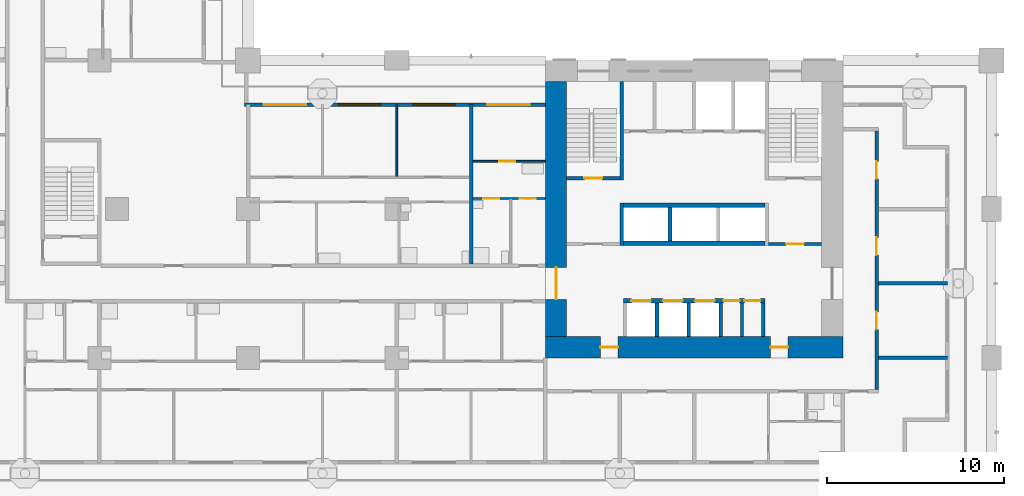
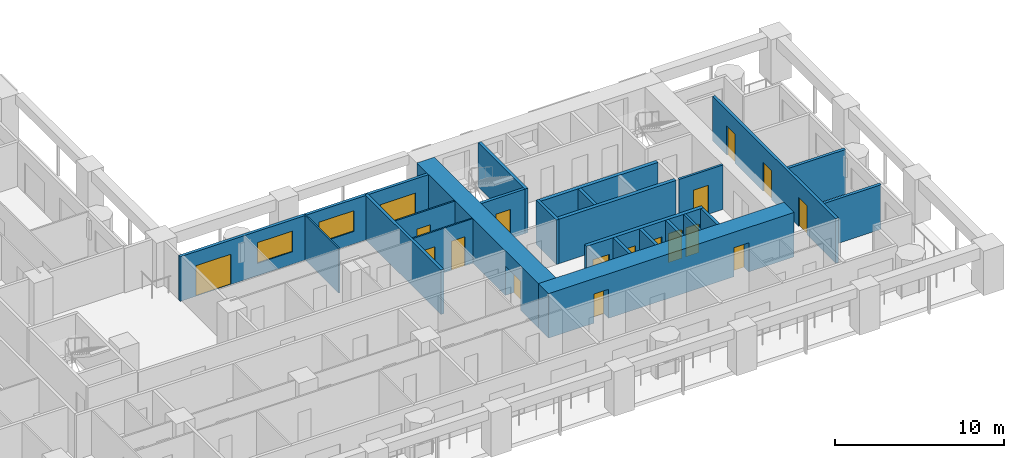
# One storey, part 6 of 20: 23 walls, 18 doors, 2 windows, 20 openings.
"""IFC4 building model written with IfcOpenShell, lengths in metres."""

from ifc_helpers import new_model, si_unit, direction, frame, frame_2d, origin, place, context, subcontext, project, spatial, rectangle, extrude, material, layer, layer_set, type_object, element, fill, save


model = new_model("IFC4")

# Units and contexts
model_context = context("Model", 3, precision=1e-05, world=origin(), true_north=direction((0.0, 1.0)))
body_context = subcontext(model_context, "Body", "Model", "MODEL_VIEW")
ifc_project = project(units=[si_unit("LENGTHUNIT", "METRE"), si_unit("AREAUNIT", "SQUARE_METRE"), si_unit("VOLUMEUNIT", "CUBIC_METRE"), si_unit("PLANEANGLEUNIT", "RADIAN"), si_unit("MASSUNIT", "GRAM", prefix="KILO")], contexts=[model_context])

# Site, building, storey
site_placement = place(None, origin())
site = spatial("IfcSite", under=ifc_project, at=site_placement, CompositionType="ELEMENT")
building_placement = place(site_placement, origin())
building = spatial("IfcBuilding", under=site, at=building_placement, Name="Vermilion Gate Residences", CompositionType="ELEMENT")
storey_placement = place(building_placement, frame((0.0, 0.0, 39.199951171875)))
storey = spatial("IfcBuildingStorey", under=building, at=storey_placement, Name="L08", CompositionType="ELEMENT", Elevation=39.199951171875)

# Wall
ifc_material_1 = material(Name="Masonry blockwork", Category="masonry")
ifc_layer_1 = layer(ifc_material_1, 0.14990234375)
ifc_layer_set_1 = layer_set([ifc_layer_1], Name="BLOCKWORK PARTITION 150 EI 120")
wall_type_1 = type_object("IfcWallType", Name="BLOCKWORK PARTITION 150 EI 120", PredefinedType="PARTITIONING", material=ifc_layer_set_1)
wall_1_placement = place(storey_placement, frame((53.10009765625, 9.60009765625, 0.0), z_axis=(0.0, 0.0, 1.0), x_axis=(0.0, 1.0, 0.0)))
element("IfcWall", 1, at=wall_1_placement, inside=storey, type_object=wall_type_1, Name="Core room partition A08-SR-P0", PredefinedType="PARTITIONING", context=body_context, shape_type="SweptSolid", body=[
    extrude(rectangle(XDim=1.89990234375, YDim=0.14990234375, at=frame_2d((0.949951171875, 0.0))), origin(), (0.0, 0.0, 1.0), 3.219970703125),
])

# Wall, opening, door
wall_2_placement = place(storey_placement, frame((54.60009765625, 14.824951171875, 0.0), z_axis=(0.0, 0.0, 1.0), x_axis=(1.0, 0.0, 0.0)))
wall_2 = element("IfcWall", 2, at=wall_2_placement, inside=storey, type_object=wall_type_1, Name="Core room partition A08-VE-S", PredefinedType="PARTITIONING", context=body_context, shape_type="SweptSolid", body=[
    extrude(rectangle(XDim=3.0, YDim=0.14990234375, at=frame_2d((1.5, 0.0))), origin(), (0.0, 0.0, 1.0), 3.219970703125),
])
opening_1_placement = place(wall_2_placement, frame((1.0, 0.0, 0.0)))
opening_1 = element("IfcOpeningElement", 3, at=opening_1_placement, cuts=wall_2, Name="Opening DK08016", PredefinedType="OPENING", context=body_context, shape_type="SweptSolid", body=[
    extrude(rectangle(XDim=1.0, YDim=2.10009765625, at=frame_2d((0.5, 1.050048828125))), frame((0.0, 0.0849609375, 0.0), z_axis=(0.0, -1.0, 0.0), x_axis=(1.0, 0.0, 0.0)), (0.0, 0.0, 1.0), 0.169921875),
])
ifc_material_2 = material(Name="Steel", Category="steel")
door_type_1 = type_object("IfcDoorType", Name="FIRE DOOR FD60 1000 X 2100", OperationType="SINGLE_SWING_LEFT", PredefinedType="DOOR", material=ifc_material_2)
door_1_placement = place(opening_1_placement, frame((1.0, 0.0, 0.0), z_axis=(0.0, 0.0, 1.0), x_axis=(-1.0, 0.0, 0.0)))
door_1 = element("IfcDoor", 4, at=door_1_placement, inside=storey, type_object=door_type_1, Name="Stair vestibule door A08", OperationType="SINGLE_SWING_LEFT", OverallHeight=2.10009765625, OverallWidth=1.0, PredefinedType="DOOR", context=body_context, shape_type="SweptSolid", body=[
    extrude(rectangle(XDim=1.0, YDim=2.10009765625, at=frame_2d((0.5, 1.050048828125))), frame((0.0, 0.02490234375, 0.0), z_axis=(0.0, -1.0, 0.0), x_axis=(1.0, 0.0, 0.0)), (0.0, 0.0, 1.0), 0.050048828125),
])
fill(opening_1, door_1)

# Wall, openings, doors, windows
ifc_material_3 = material(Name="Insulated steel stud wall with terracotta rainscreen", Category="masonry")
ifc_layer_2 = layer(ifc_material_3, 0.199951171875)
ifc_layer_set_2 = layer_set([ifc_layer_2], Name="EXTERNAL WALL 200 TERRACOTTA RAINSCREEN")
wall_type_2 = type_object("IfcWallType", Name="EXTERNAL WALL 200 TERRACOTTA RAINSCREEN", PredefinedType="SOLIDWALL", material=ifc_layer_set_2)
wall_3_placement = place(storey_placement, frame((42.0, 22.699951171875, 0.0), z_axis=(0.0, 0.0, 1.0), x_axis=(-1.0, 0.0, 0.0)))
wall_3 = element("IfcWall", 5, at=wall_3_placement, inside=storey, type_object=wall_type_2, Name="External wall", PredefinedType="SOLIDWALL", context=body_context, shape_type="SweptSolid", body=[
    extrude(rectangle(XDim=17.0, YDim=0.199951171875, at=frame_2d((8.5, 0.0))), origin(), (0.0, 0.0, 1.0), 3.219970703125),
])
opening_2_placement = place(wall_3_placement, frame((13.5, 0.0, 0.0)))
opening_2 = element("IfcOpeningElement", 6, at=opening_2_placement, cuts=wall_3, Name="Opening DE08033", PredefinedType="OPENING", context=body_context, shape_type="SweptSolid", body=[
    extrude(rectangle(XDim=2.39990234375, YDim=2.199951171875, at=frame_2d((1.199951171875, 1.10009765625))), frame((0.0, 0.10986328125, 0.0), z_axis=(0.0, -1.0, 0.0), x_axis=(1.0, 0.0, 0.0)), (0.0, 0.0, 1.0), 0.219970703125),
])
opening_3_placement = place(wall_3_placement, frame((9.300048828125, 0.0, 0.89990234375)))
opening_3 = element("IfcOpeningElement", 7, at=opening_3_placement, cuts=wall_3, Name="Opening WE08034", PredefinedType="OPENING", context=body_context, shape_type="SweptSolid", body=[
    extrude(rectangle(XDim=2.39990234375, YDim=1.5, at=frame_2d((1.199951171875, 0.75))), frame((0.0, 0.10986328125, 0.0), z_axis=(0.0, -1.0, 0.0), x_axis=(1.0, 0.0, 0.0)), (0.0, 0.0, 1.0), 0.219970703125),
])
opening_4_placement = place(wall_3_placement, frame((5.10009765625, 0.0, 0.89990234375)))
opening_4 = element("IfcOpeningElement", 8, at=opening_4_placement, cuts=wall_3, Name="Opening WE08035", PredefinedType="OPENING", context=body_context, shape_type="SweptSolid", body=[
    extrude(rectangle(XDim=2.39990234375, YDim=1.5, at=frame_2d((1.199951171875, 0.75))), frame((0.0, 0.10986328125, 0.0), z_axis=(0.0, -1.0, 0.0), x_axis=(1.0, 0.0, 0.0)), (0.0, 0.0, 1.0), 0.219970703125),
])
opening_5_placement = place(wall_3_placement, frame((0.89990234375, 0.0, 0.0)))
opening_5 = element("IfcOpeningElement", 9, at=opening_5_placement, cuts=wall_3, Name="Opening DE08036", PredefinedType="OPENING", context=body_context, shape_type="SweptSolid", body=[
    extrude(rectangle(XDim=2.39990234375, YDim=2.199951171875, at=frame_2d((1.199951171875, 1.10009765625))), frame((0.0, 0.10986328125, 0.0), z_axis=(0.0, -1.0, 0.0), x_axis=(1.0, 0.0, 0.0)), (0.0, 0.0, 1.0), 0.219970703125),
])
ifc_material_4 = material(Name="Aluminium and clear glass", Category="aluminium")
door_type_2 = type_object("IfcDoorType", Name="SLIDING GLAZED DOOR 2400 X 2200", OperationType="DOUBLE_DOOR_SLIDING", PredefinedType="DOOR", material=ifc_material_4)
door_2_placement = place(opening_2_placement, origin())
door_2 = element("IfcDoor", 10, at=door_2_placement, inside=storey, type_object=door_type_2, Name="Loggia sliding door", OperationType="DOUBLE_DOOR_SLIDING", OverallHeight=2.199951171875, OverallWidth=2.39990234375, PredefinedType="DOOR", context=body_context, shape_type="SweptSolid", body=[
    extrude(rectangle(XDim=2.39990234375, YDim=2.199951171875, at=frame_2d((1.199951171875, 1.10009765625))), frame((0.0, 0.02490234375, 0.0), z_axis=(0.0, -1.0, 0.0), x_axis=(1.0, 0.0, 0.0)), (0.0, 0.0, 1.0), 0.050048828125),
])
fill(opening_2, door_2)
door_3_placement = place(opening_5_placement, origin())
door_3 = element("IfcDoor", 11, at=door_3_placement, inside=storey, type_object=door_type_2, Name="Loggia sliding door", OperationType="DOUBLE_DOOR_SLIDING", OverallHeight=2.199951171875, OverallWidth=2.39990234375, PredefinedType="DOOR", context=body_context, shape_type="SweptSolid", body=[
    extrude(rectangle(XDim=2.39990234375, YDim=2.199951171875, at=frame_2d((1.199951171875, 1.10009765625))), frame((0.0, 0.02490234375, 0.0), z_axis=(0.0, -1.0, 0.0), x_axis=(1.0, 0.0, 0.0)), (0.0, 0.0, 1.0), 0.050048828125),
])
fill(opening_5, door_3)
ifc_material_5 = material(Name="Aluminium and clear glass", Category="aluminium")
window_type = type_object("IfcWindowType", Name="WINDOW 2400 X 1500", PartitioningType="SINGLE_PANEL", PredefinedType="WINDOW", material=ifc_material_5)
window_1_placement = place(opening_3_placement, origin())
window_1 = element("IfcWindow", 12, at=window_1_placement, inside=storey, type_object=window_type, Name="Window", OverallHeight=1.5, OverallWidth=2.39990234375, PartitioningType="SINGLE_PANEL", PredefinedType="WINDOW", context=body_context, shape_type="SweptSolid", body=[
    extrude(rectangle(XDim=2.39990234375, YDim=1.5, at=frame_2d((1.199951171875, 0.75))), frame((0.0, 0.030029296875, 0.0), z_axis=(0.0, -1.0, 0.0), x_axis=(1.0, 0.0, 0.0)), (0.0, 0.0, 1.0), 0.06005859375),
])
fill(opening_3, window_1)
window_2_placement = place(opening_4_placement, origin())
window_2 = element("IfcWindow", 13, at=window_2_placement, inside=storey, type_object=window_type, Name="Window", OverallHeight=1.5, OverallWidth=2.39990234375, PartitioningType="SINGLE_PANEL", PredefinedType="WINDOW", context=body_context, shape_type="SweptSolid", body=[
    extrude(rectangle(XDim=2.39990234375, YDim=1.5, at=frame_2d((1.199951171875, 0.75))), frame((0.0, 0.030029296875, 0.0), z_axis=(0.0, -1.0, 0.0), x_axis=(1.0, 0.0, 0.0)), (0.0, 0.0, 1.0), 0.06005859375),
])
fill(opening_4, window_2)

# Wall, openings, doors
ifc_material_6 = material(Name="Plasterboard on steel studs", Category="steel")
ifc_layer_3 = layer(ifc_material_6, 0.10009765625)
ifc_layer_set_3 = layer_set([ifc_layer_3], Name="PARTITION 100")
wall_type_3 = type_object("IfcWallType", Name="PARTITION 100", PredefinedType="PARTITIONING", material=ifc_layer_set_3)
wall_4_placement = place(storey_placement, frame((37.89990234375, 17.39990234375, 0.0), z_axis=(0.0, 0.0, 1.0), x_axis=(1.0, 0.0, 0.0)))
wall_4 = element("IfcWall", 14, at=wall_4_placement, inside=storey, type_object=wall_type_3, Name="Partition", PredefinedType="PARTITIONING", context=body_context, shape_type="SweptSolid", body=[
    extrude(rectangle(XDim=4.10009765625, YDim=0.10009765625, at=frame_2d((2.050048828125, 0.0))), origin(), (0.0, 0.0, 1.0), 3.219970703125),
])
opening_6_placement = place(wall_4_placement, frame((2.639892578125, 0.0, 0.0)))
opening_6 = element("IfcOpeningElement", 15, at=opening_6_placement, cuts=wall_4, Name="Opening DA07030", PredefinedType="OPENING", context=body_context, shape_type="SweptSolid", body=[
    extrude(rectangle(XDim=0.89990234375, YDim=2.10009765625, at=frame_2d((0.449951171875, 1.050048828125))), frame((0.0, 0.06005859375, 0.0), z_axis=(0.0, -1.0, 0.0), x_axis=(1.0, 0.0, 0.0)), (0.0, 0.0, 1.0), 0.1201171875),
])
opening_7_placement = place(wall_4_placement, frame((0.60009765625, 0.0, 0.0)))
opening_7 = element("IfcOpeningElement", 16, at=opening_7_placement, cuts=wall_4, Name="Opening DA07031", PredefinedType="OPENING", context=body_context, shape_type="SweptSolid", body=[
    extrude(rectangle(XDim=0.89990234375, YDim=2.10009765625, at=frame_2d((0.449951171875, 1.050048828125))), frame((0.0, 0.06005859375, 0.0), z_axis=(0.0, -1.0, 0.0), x_axis=(1.0, 0.0, 0.0)), (0.0, 0.0, 1.0), 0.1201171875),
])
ifc_material_7 = material(Name="Timber", Category="wood")
door_type_3 = type_object("IfcDoorType", Name="INTERIOR DOOR 900 X 2100", OperationType="SINGLE_SWING_LEFT", PredefinedType="DOOR", material=ifc_material_7)
door_4_placement = place(opening_6_placement, origin())
door_4 = element("IfcDoor", 17, at=door_4_placement, inside=storey, type_object=door_type_3, Name="Interior door", OperationType="SINGLE_SWING_RIGHT", OverallHeight=2.10009765625, OverallWidth=0.89990234375, PredefinedType="DOOR", context=body_context, shape_type="SweptSolid", body=[
    extrude(rectangle(XDim=0.89990234375, YDim=2.10009765625, at=frame_2d((0.449951171875, 1.050048828125))), frame((0.0, 0.02490234375, 0.0), z_axis=(0.0, -1.0, 0.0), x_axis=(1.0, 0.0, 0.0)), (0.0, 0.0, 1.0), 0.050048828125),
])
fill(opening_6, door_4)
door_5_placement = place(opening_7_placement, frame((0.89990234375, 0.0, 0.0), z_axis=(0.0, 0.0, 1.0), x_axis=(-1.0, 0.0, 0.0)))
door_5 = element("IfcDoor", 18, at=door_5_placement, inside=storey, type_object=door_type_3, Name="Interior door", OperationType="SINGLE_SWING_RIGHT", OverallHeight=2.10009765625, OverallWidth=0.89990234375, PredefinedType="DOOR", context=body_context, shape_type="SweptSolid", body=[
    extrude(rectangle(XDim=0.89990234375, YDim=2.10009765625, at=frame_2d((0.449951171875, 1.050048828125))), frame((0.0, 0.02490234375, 0.0), z_axis=(0.0, -1.0, 0.0), x_axis=(1.0, 0.0, 0.0)), (0.0, 0.0, 1.0), 0.050048828125),
])
fill(opening_7, door_5)

# Wall, opening, door
wall_5_placement = place(storey_placement, frame((37.89990234375, 19.5, 0.0), z_axis=(0.0, 0.0, 1.0), x_axis=(1.0, 0.0, 0.0)))
wall_5 = element("IfcWall", 19, at=wall_5_placement, inside=storey, type_object=wall_type_3, Name="Partition", PredefinedType="PARTITIONING", context=body_context, shape_type="SweptSolid", body=[
    extrude(rectangle(XDim=4.10009765625, YDim=0.10009765625, at=frame_2d((2.050048828125, 0.0))), origin(), (0.0, 0.0, 1.0), 3.219970703125),
])
opening_8_placement = place(wall_5_placement, frame((1.5, 0.0, 0.0)))
opening_8 = element("IfcOpeningElement", 20, at=opening_8_placement, cuts=wall_5, Name="Opening DA07035", PredefinedType="OPENING", context=body_context, shape_type="SweptSolid", body=[
    extrude(rectangle(XDim=0.89990234375, YDim=2.10009765625, at=frame_2d((0.449951171875, 1.050048828125))), frame((0.0, 0.06005859375, 0.0), z_axis=(0.0, -1.0, 0.0), x_axis=(1.0, 0.0, 0.0)), (0.0, 0.0, 1.0), 0.1201171875),
])
door_6_placement = place(opening_8_placement, frame((0.89990234375, 0.0, 0.0), z_axis=(0.0, 0.0, 1.0), x_axis=(-1.0, 0.0, 0.0)))
door_6 = element("IfcDoor", 21, at=door_6_placement, inside=storey, type_object=door_type_3, Name="Interior door", OperationType="SINGLE_SWING_LEFT", OverallHeight=2.10009765625, OverallWidth=0.89990234375, PredefinedType="DOOR", context=body_context, shape_type="SweptSolid", body=[
    extrude(rectangle(XDim=0.89990234375, YDim=2.10009765625, at=frame_2d((0.449951171875, 1.050048828125))), frame((0.0, 0.02490234375, 0.0), z_axis=(0.0, -1.0, 0.0), x_axis=(1.0, 0.0, 0.0)), (0.0, 0.0, 1.0), 0.050048828125),
])
fill(opening_8, door_6)

# Walls
wall_6_placement = place(storey_placement, frame((33.60009765625, 18.64990234375, 0.0), z_axis=(0.0, 0.0, 1.0), x_axis=(0.0, 1.0, 0.0)))
element("IfcWall", 22, at=wall_6_placement, inside=storey, type_object=wall_type_3, Name="Partition", PredefinedType="PARTITIONING", context=body_context, shape_type="SweptSolid", body=[
    extrude(rectangle(XDim=4.050048828125, YDim=0.10009765625, at=frame_2d((2.02490234375, 0.0))), origin(), (0.0, 0.0, 1.0), 3.219970703125),
])
ifc_material_8 = material(Name="Fire-rated plasterboard on steel studs", Category="steel")
ifc_layer_4 = layer(ifc_material_8, 0.199951171875)
ifc_layer_set_4 = layer_set([ifc_layer_4], Name="PARTY WALL 200 EI 120")
wall_type_4 = type_object("IfcWallType", Name="PARTY WALL 200 EI 120", PredefinedType="PARTITIONING", material=ifc_layer_set_4)
for number, where, z_axis, x_axis, name in (
    (23, (60.800048828125, 8.39990234375, 0.0), (0.0, 0.0, 1.0), (1.0, 0.0, 0.0), "Party and corridor wall"),
    (24, (60.800048828125, 12.60009765625, 0.0), (0.0, 0.0, 1.0), (1.0, 0.0, 0.0), "Party and corridor wall"),
):
    element("IfcWall", number, at=place(storey_placement, frame(where, z_axis=z_axis, x_axis=x_axis)), inside=storey, type_object=wall_type_4, Name=name, PredefinedType="PARTITIONING", context=body_context, shape_type="SweptSolid", body=[
        extrude(rectangle(XDim=3.89990234375, YDim=0.199951171875, at=frame_2d((1.949951171875, 0.0))), origin(), (0.0, 0.0, 1.0), 3.219970703125),
    ])
wall_7_placement = place(storey_placement, frame((37.800048828125, 13.699951171875, 0.0), z_axis=(0.0, 0.0, 1.0), x_axis=(0.0, 1.0, 0.0)))
element("IfcWall", 25, at=wall_7_placement, inside=storey, type_object=wall_type_4, Name="Party and corridor wall", PredefinedType="PARTITIONING", context=body_context, shape_type="SweptSolid", body=[
    extrude(rectangle(XDim=9.0, YDim=0.199951171875, at=frame_2d((4.5, 0.0))), origin(), (0.0, 0.0, 1.0), 3.219970703125),
])

# Wall, openings, doors
wall_8_placement = place(storey_placement, frame((60.699951171875, 6.60009765625, 0.0), z_axis=(0.0, 0.0, 1.0), x_axis=(0.0, 1.0, 0.0)))
wall_8 = element("IfcWall", 26, at=wall_8_placement, inside=storey, type_object=wall_type_4, Name="Party and corridor wall", PredefinedType="PARTITIONING", context=body_context, shape_type="SweptSolid", body=[
    extrude(rectangle(XDim=14.599853515625, YDim=0.199951171875, at=frame_2d((7.2998046875, 0.0))), origin(), (0.0, 0.0, 1.0), 3.219970703125),
])
opening_9_placement = place(wall_8_placement, frame((3.39990234375, 0.0, 0.0)))
opening_9 = element("IfcOpeningElement", 27, at=opening_9_placement, cuts=wall_8, Name="Opening DA07066", PredefinedType="OPENING", context=body_context, shape_type="SweptSolid", body=[
    extrude(rectangle(XDim=1.0, YDim=2.10009765625, at=frame_2d((0.5, 1.050048828125))), frame((0.0, 0.10986328125, 0.0), z_axis=(0.0, -1.0, 0.0), x_axis=(1.0, 0.0, 0.0)), (0.0, 0.0, 1.0), 0.219970703125),
])
opening_10_placement = place(wall_8_placement, frame((7.60009765625, 0.0, 0.0)))
opening_10 = element("IfcOpeningElement", 28, at=opening_10_placement, cuts=wall_8, Name="Opening DA07067", PredefinedType="OPENING", context=body_context, shape_type="SweptSolid", body=[
    extrude(rectangle(XDim=1.0, YDim=2.10009765625, at=frame_2d((0.5, 1.050048828125))), frame((0.0, 0.10986328125, 0.0), z_axis=(0.0, -1.0, 0.0), x_axis=(1.0, 0.0, 0.0)), (0.0, 0.0, 1.0), 0.219970703125),
])
opening_11_placement = place(wall_8_placement, frame((11.89990234375, 0.0, 0.0)))
opening_11 = element("IfcOpeningElement", 29, at=opening_11_placement, cuts=wall_8, Name="Opening DA07068", PredefinedType="OPENING", context=body_context, shape_type="SweptSolid", body=[
    extrude(rectangle(XDim=1.0, YDim=2.10009765625, at=frame_2d((0.5, 1.050048828125))), frame((0.0, 0.10986328125, 0.0), z_axis=(0.0, -1.0, 0.0), x_axis=(1.0, 0.0, 0.0)), (0.0, 0.0, 1.0), 0.219970703125),
])
ifc_material_9 = material(Name="Steel", Category="steel")
door_type_4 = type_object("IfcDoorType", Name="ENTRANCE DOOR 1000 X 2100 FD30", OperationType="SINGLE_SWING_LEFT", PredefinedType="DOOR", material=ifc_material_9)
door_7_placement = place(opening_9_placement, frame((1.0, 0.0, 0.0), z_axis=(0.0, 0.0, 1.0), x_axis=(-1.0, 0.0, 0.0)))
door_7 = element("IfcDoor", 30, at=door_7_placement, inside=storey, type_object=door_type_4, Name="Entrance door", OperationType="SINGLE_SWING_RIGHT", OverallHeight=2.10009765625, OverallWidth=1.0, PredefinedType="DOOR", context=body_context, shape_type="SweptSolid", body=[
    extrude(rectangle(XDim=1.0, YDim=2.10009765625, at=frame_2d((0.5, 1.050048828125))), frame((0.0, 0.02490234375, 0.0), z_axis=(0.0, -1.0, 0.0), x_axis=(1.0, 0.0, 0.0)), (0.0, 0.0, 1.0), 0.050048828125),
])
fill(opening_9, door_7)
door_8_placement = place(opening_10_placement, frame((1.0, 0.0, 0.0), z_axis=(0.0, 0.0, 1.0), x_axis=(-1.0, 0.0, 0.0)))
door_8 = element("IfcDoor", 31, at=door_8_placement, inside=storey, type_object=door_type_4, Name="Entrance door", OperationType="SINGLE_SWING_RIGHT", OverallHeight=2.10009765625, OverallWidth=1.0, PredefinedType="DOOR", context=body_context, shape_type="SweptSolid", body=[
    extrude(rectangle(XDim=1.0, YDim=2.10009765625, at=frame_2d((0.5, 1.050048828125))), frame((0.0, 0.02490234375, 0.0), z_axis=(0.0, -1.0, 0.0), x_axis=(1.0, 0.0, 0.0)), (0.0, 0.0, 1.0), 0.050048828125),
])
fill(opening_10, door_8)
door_9_placement = place(opening_11_placement, frame((1.0, 0.0, 0.0), z_axis=(0.0, 0.0, 1.0), x_axis=(-1.0, 0.0, 0.0)))
door_9 = element("IfcDoor", 32, at=door_9_placement, inside=storey, type_object=door_type_4, Name="Entrance door", OperationType="SINGLE_SWING_RIGHT", OverallHeight=2.10009765625, OverallWidth=1.0, PredefinedType="DOOR", context=body_context, shape_type="SweptSolid", body=[
    extrude(rectangle(XDim=1.0, YDim=2.10009765625, at=frame_2d((0.5, 1.050048828125))), frame((0.0, 0.02490234375, 0.0), z_axis=(0.0, -1.0, 0.0), x_axis=(1.0, 0.0, 0.0)), (0.0, 0.0, 1.0), 0.050048828125),
])
fill(opening_11, door_9)

# Walls
ifc_material_10 = material(Name="Concrete C60", Category="concrete")
ifc_layer_5 = layer(ifc_material_10, 0.199951171875)
ifc_layer_set_5 = layer_set([ifc_layer_5], Name="RC CORE INTERNAL WALL 200 C60")
wall_type_5 = type_object("IfcWallType", Name="RC CORE INTERNAL WALL 200 C60", PredefinedType="SHEAR", material=ifc_layer_set_5)
for number, where, z_axis, x_axis, name in (
    (33, (48.300048828125, 9.60009765625, 0.0), (0.0, 0.0, 1.0), (0.0, 1.0, 0.0), "Core internal wall A08-LR-D1"),
    (34, (50.10009765625, 9.60009765625, 0.0), (0.0, 0.0, 1.0), (0.0, 1.0, 0.0), "Core internal wall A08-LR-D2"),
    (35, (51.89990234375, 9.60009765625, 0.0), (0.0, 0.0, 1.0), (0.0, 1.0, 0.0), "Core internal wall A08-LR-D3"),
    (36, (54.300048828125, 9.60009765625, 0.0), (0.0, 0.0, 1.0), (0.0, 1.0, 0.0), "Core internal wall A08-LR-DE"),
    (37, (49.033447265625, 15.0, 0.0), (0.0, 0.0, 1.0), (0.0, 1.0, 0.0), "Core internal wall A08-HR-D1"),
):
    element("IfcWall", number, at=place(storey_placement, frame(where, z_axis=z_axis, x_axis=x_axis)), inside=storey, type_object=wall_type_5, Name=name, PredefinedType="SHEAR", context=body_context, shape_type="SweptSolid", body=[
        extrude(rectangle(XDim=1.89990234375, YDim=0.199951171875, at=frame_2d((0.949951171875, 0.0))), origin(), (0.0, 0.0, 1.0), 3.219970703125),
    ])
wall_9_placement = place(storey_placement, frame((46.300048828125, 14.75, 0.0), z_axis=(0.0, 0.0, 1.0), x_axis=(0.0, 1.0, 0.0)))
element("IfcWall", 38, at=wall_9_placement, inside=storey, type_object=wall_type_5, Name="Core internal wall A08-WDIV1", PredefinedType="SHEAR", context=body_context, shape_type="SweptSolid", body=[
    extrude(rectangle(XDim=2.39990234375, YDim=0.199951171875, at=frame_2d((1.199951171875, 0.0))), origin(), (0.0, 0.0, 1.0), 3.219970703125),
])
wall_10_placement = place(storey_placement, frame((46.300048828125, 18.449951171875, 0.0), z_axis=(0.0, 0.0, 1.0), x_axis=(0.0, 1.0, 0.0)))
element("IfcWall", 39, at=wall_10_placement, inside=storey, type_object=wall_type_5, Name="Core internal wall A08-WDIV2", PredefinedType="SHEAR", context=body_context, shape_type="SweptSolid", body=[
    extrude(rectangle(XDim=5.550048828125, YDim=0.199951171875, at=frame_2d((2.77490234375, 0.0))), origin(), (0.0, 0.0, 1.0), 3.219970703125),
])

# Wall, opening, door
wall_11_placement = place(storey_placement, frame((43.199951171875, 18.550048828125, 0.0), z_axis=(0.0, 0.0, 1.0), x_axis=(1.0, 0.0, 0.0)))
wall_11 = element("IfcWall", 40, at=wall_11_placement, inside=storey, type_object=wall_type_5, Name="Core internal wall A08-STW-S", PredefinedType="SHEAR", context=body_context, shape_type="SweptSolid", body=[
    extrude(rectangle(XDim=3.0, YDim=0.199951171875, at=frame_2d((1.5, 0.0))), origin(), (0.0, 0.0, 1.0), 3.219970703125),
])
opening_12_placement = place(wall_11_placement, frame((1.0, 0.0, 0.0)))
opening_12 = element("IfcOpeningElement", 41, at=opening_12_placement, cuts=wall_11, Name="Opening DK08015", PredefinedType="OPENING", context=body_context, shape_type="SweptSolid", body=[
    extrude(rectangle(XDim=1.0, YDim=2.10009765625, at=frame_2d((0.5, 1.050048828125))), frame((0.0, 0.10986328125, 0.0), z_axis=(0.0, -1.0, 0.0), x_axis=(1.0, 0.0, 0.0)), (0.0, 0.0, 1.0), 0.219970703125),
])
door_10_placement = place(opening_12_placement, origin())
door_10 = element("IfcDoor", 42, at=door_10_placement, inside=storey, type_object=door_type_1, Name="Stair door A08", OperationType="SINGLE_SWING_LEFT", OverallHeight=2.10009765625, OverallWidth=1.0, PredefinedType="DOOR", context=body_context, shape_type="SweptSolid", body=[
    extrude(rectangle(XDim=1.0, YDim=2.10009765625, at=frame_2d((0.5, 1.050048828125))), frame((0.0, 0.02490234375, 0.0), z_axis=(0.0, -1.0, 0.0), x_axis=(1.0, 0.0, 0.0)), (0.0, 0.0, 1.0), 0.050048828125),
])
fill(opening_12, door_10)

# Wall, openings, doors
ifc_material_11 = material(Name="Concrete C80", Category="concrete")
ifc_layer_6 = layer(ifc_material_11, 1.199951171875)
ifc_layer_set_6 = layer_set([ifc_layer_6], Name="RC CORE WALL 1200 C80")
wall_type_6 = type_object("IfcWallType", Name="RC CORE WALL 1200 C80", PredefinedType="SHEAR", material=ifc_layer_set_6)
wall_12_placement = place(storey_placement, frame((42.0, 9.0, 0.0), z_axis=(0.0, 0.0, 1.0), x_axis=(1.0, 0.0, 0.0)))
wall_12 = element("IfcWall", 43, at=wall_12_placement, inside=storey, type_object=wall_type_6, Name="Core wall A08-OUT-B0", PredefinedType="SHEAR", context=body_context, shape_type="SweptSolid", body=[
    extrude(rectangle(XDim=16.800048828125, YDim=1.199951171875, at=frame_2d((8.39990234375, 0.0))), origin(), (0.0, 0.0, 1.0), 3.219970703125),
])
opening_13_placement = place(wall_12_placement, frame((3.10009765625, 0.0, 0.0)))
opening_13 = element("IfcOpeningElement", 44, at=opening_13_placement, cuts=wall_12, Name="Opening DK08001", PredefinedType="OPENING", context=body_context, shape_type="SweptSolid", body=[
    extrude(rectangle(XDim=1.0, YDim=2.10009765625, at=frame_2d((0.5, 1.050048828125))), frame((0.0, 0.60986328125, 0.0), z_axis=(0.0, -1.0, 0.0), x_axis=(1.0, 0.0, 0.0)), (0.0, 0.0, 1.0), 1.219970703125),
])
opening_14_placement = place(wall_12_placement, frame((12.699951171875, 0.0, 0.0)))
opening_14 = element("IfcOpeningElement", 45, at=opening_14_placement, cuts=wall_12, Name="Opening DK08002", PredefinedType="OPENING", context=body_context, shape_type="SweptSolid", body=[
    extrude(rectangle(XDim=1.0, YDim=2.10009765625, at=frame_2d((0.5, 1.050048828125))), frame((0.0, 0.60986328125, 0.0), z_axis=(0.0, -1.0, 0.0), x_axis=(1.0, 0.0, 0.0)), (0.0, 0.0, 1.0), 1.219970703125),
])
door_11_placement = place(opening_13_placement, origin())
door_11 = element("IfcDoor", 46, at=door_11_placement, inside=storey, type_object=door_type_1, Name="Core lobby side door A08", OperationType="SINGLE_SWING_RIGHT", OverallHeight=2.10009765625, OverallWidth=1.0, PredefinedType="DOOR", context=body_context, shape_type="SweptSolid", body=[
    extrude(rectangle(XDim=1.0, YDim=2.10009765625, at=frame_2d((0.5, 1.050048828125))), frame((0.0, 0.02490234375, 0.0), z_axis=(0.0, -1.0, 0.0), x_axis=(1.0, 0.0, 0.0)), (0.0, 0.0, 1.0), 0.050048828125),
])
fill(opening_13, door_11)
door_12_placement = place(opening_14_placement, origin())
door_12 = element("IfcDoor", 47, at=door_12_placement, inside=storey, type_object=door_type_1, Name="Core lobby side door A08", OperationType="SINGLE_SWING_LEFT", OverallHeight=2.10009765625, OverallWidth=1.0, PredefinedType="DOOR", context=body_context, shape_type="SweptSolid", body=[
    extrude(rectangle(XDim=1.0, YDim=2.10009765625, at=frame_2d((0.5, 1.050048828125))), frame((0.0, 0.02490234375, 0.0), z_axis=(0.0, -1.0, 0.0), x_axis=(1.0, 0.0, 0.0)), (0.0, 0.0, 1.0), 0.050048828125),
])
fill(opening_14, door_12)

# Wall, opening, door
wall_13_placement = place(storey_placement, frame((42.60009765625, 9.60009765625, 0.0), z_axis=(0.0, 0.0, 1.0), x_axis=(0.0, 1.0, 0.0)))
wall_13 = element("IfcWall", 48, at=wall_13_placement, inside=storey, type_object=wall_type_6, Name="Core wall A08-OUT-FR", PredefinedType="SHEAR", context=body_context, shape_type="SweptSolid", body=[
    extrude(rectangle(XDim=14.39990234375, YDim=1.199951171875, at=frame_2d((7.199951171875, 0.0))), origin(), (0.0, 0.0, 1.0), 3.219970703125),
])
opening_15_placement = place(wall_13_placement, frame((2.10009765625, 0.0, 0.0)))
opening_15 = element("IfcOpeningElement", 49, at=opening_15_placement, cuts=wall_13, Name="Opening DK08003", PredefinedType="OPENING", context=body_context, shape_type="SweptSolid", body=[
    extrude(rectangle(XDim=1.800048828125, YDim=2.10009765625, at=frame_2d((0.89990234375, 1.050048828125))), frame((0.0, 0.60986328125, 0.0), z_axis=(0.0, -1.0, 0.0), x_axis=(1.0, 0.0, 0.0)), (0.0, 0.0, 1.0), 1.219970703125),
])
ifc_material_12 = material(Name="Steel", Category="steel")
door_type_5 = type_object("IfcDoorType", Name="CORE LOBBY DOOR FD60 1800 X 2100", OperationType="DOUBLE_DOOR_SINGLE_SWING", PredefinedType="DOOR", material=ifc_material_12)
door_13_placement = place(opening_15_placement, frame((1.800048828125, 0.0, 0.0), z_axis=(0.0, 0.0, 1.0), x_axis=(-1.0, 0.0, 0.0)))
door_13 = element("IfcDoor", 50, at=door_13_placement, inside=storey, type_object=door_type_5, Name="Core lobby door A08", OperationType="DOUBLE_DOOR_SINGLE_SWING", OverallHeight=2.10009765625, OverallWidth=1.800048828125, PredefinedType="DOOR", context=body_context, shape_type="SweptSolid", body=[
    extrude(rectangle(XDim=1.800048828125, YDim=2.10009765625, at=frame_2d((0.89990234375, 1.050048828125))), frame((0.0, 0.02490234375, 0.0), z_axis=(0.0, -1.0, 0.0), x_axis=(1.0, 0.0, 0.0)), (0.0, 0.0, 1.0), 0.050048828125),
])
fill(opening_15, door_13)

# Wall, openings, doors
ifc_material_13 = material(Name="Concrete C60", Category="concrete")
ifc_layer_7 = layer(ifc_material_13, 0.25)
ifc_layer_set_7 = layer_set([ifc_layer_7], Name="RC LIFT SHAFT WALL 250 C60")
wall_type_7 = type_object("IfcWallType", Name="RC LIFT SHAFT WALL 250 C60", PredefinedType="SHEAR", material=ifc_layer_set_7)
wall_14_placement = place(storey_placement, frame((46.39990234375, 11.625, 0.0), z_axis=(0.0, 0.0, 1.0), x_axis=(1.0, 0.0, 0.0)))
wall_14 = element("IfcWall", 51, at=wall_14_placement, inside=storey, type_object=wall_type_7, Name="Lift shaft wall A08-LR-F", PredefinedType="SHEAR", context=body_context, shape_type="SweptSolid", body=[
    extrude(rectangle(XDim=8.0, YDim=0.25, at=frame_2d((4.0, 0.0))), origin(), (0.0, 0.0, 1.0), 3.219970703125),
])
opening_16_placement = place(wall_14_placement, frame((0.449951171875, 0.0, 0.0)))
opening_16 = element("IfcOpeningElement", 52, at=opening_16_placement, cuts=wall_14, Name="Opening LD", PredefinedType="OPENING", context=body_context, shape_type="SweptSolid", body=[
    extrude(rectangle(XDim=1.10009765625, YDim=2.10009765625, at=frame_2d((0.550048828125, 1.050048828125))), frame((0.0, 0.135009765625, 0.0), z_axis=(0.0, -1.0, 0.0), x_axis=(1.0, 0.0, 0.0)), (0.0, 0.0, 1.0), 0.27001953125),
])
opening_17_placement = place(wall_14_placement, frame((2.25, 0.0, 0.0)))
opening_17 = element("IfcOpeningElement", 53, at=opening_17_placement, cuts=wall_14, Name="Opening LD", PredefinedType="OPENING", context=body_context, shape_type="SweptSolid", body=[
    extrude(rectangle(XDim=1.10009765625, YDim=2.10009765625, at=frame_2d((0.550048828125, 1.050048828125))), frame((0.0, 0.135009765625, 0.0), z_axis=(0.0, -1.0, 0.0), x_axis=(1.0, 0.0, 0.0)), (0.0, 0.0, 1.0), 0.27001953125),
])
opening_18_placement = place(wall_14_placement, frame((4.050048828125, 0.0, 0.0)))
opening_18 = element("IfcOpeningElement", 54, at=opening_18_placement, cuts=wall_14, Name="Opening LD", PredefinedType="OPENING", context=body_context, shape_type="SweptSolid", body=[
    extrude(rectangle(XDim=1.10009765625, YDim=2.10009765625, at=frame_2d((0.550048828125, 1.050048828125))), frame((0.0, 0.135009765625, 0.0), z_axis=(0.0, -1.0, 0.0), x_axis=(1.0, 0.0, 0.0)), (0.0, 0.0, 1.0), 0.27001953125),
])
opening_19_placement = place(wall_14_placement, frame((5.66259765625, 0.0, 0.0)))
opening_19 = element("IfcOpeningElement", 55, at=opening_19_placement, cuts=wall_14, Name="Opening DK08008", PredefinedType="OPENING", context=body_context, shape_type="SweptSolid", body=[
    extrude(rectangle(XDim=0.89990234375, YDim=2.10009765625, at=frame_2d((0.449951171875, 1.050048828125))), frame((0.0, 0.135009765625, 0.0), z_axis=(0.0, -1.0, 0.0), x_axis=(1.0, 0.0, 0.0)), (0.0, 0.0, 1.0), 0.27001953125),
])
opening_20_placement = place(wall_14_placement, frame((6.83740234375, 0.0, 0.0)))
opening_20 = element("IfcOpeningElement", 56, at=opening_20_placement, cuts=wall_14, Name="Opening DK08009", PredefinedType="OPENING", context=body_context, shape_type="SweptSolid", body=[
    extrude(rectangle(XDim=0.89990234375, YDim=2.10009765625, at=frame_2d((0.449951171875, 1.050048828125))), frame((0.0, 0.135009765625, 0.0), z_axis=(0.0, -1.0, 0.0), x_axis=(1.0, 0.0, 0.0)), (0.0, 0.0, 1.0), 0.27001953125),
])
ifc_material_14 = material(Name="Stainless steel", Category="steel")
door_type_6 = type_object("IfcDoorType", Name="LIFT LANDING DOOR E60 1100 X 2100", OperationType="DOUBLE_DOOR_SLIDING", PredefinedType="DOOR", material=ifc_material_14)
door_14_placement = place(opening_16_placement, origin())
door_14 = element("IfcDoor", 57, at=door_14_placement, inside=storey, type_object=door_type_6, Name="Lift landing door LRA1", OperationType="DOUBLE_DOOR_SLIDING", OverallHeight=2.10009765625, OverallWidth=1.10009765625, PredefinedType="DOOR", context=body_context, shape_type="SweptSolid", body=[
    extrude(rectangle(XDim=1.10009765625, YDim=2.10009765625, at=frame_2d((0.550048828125, 1.050048828125))), frame((0.0, 0.02490234375, 0.0), z_axis=(0.0, -1.0, 0.0), x_axis=(1.0, 0.0, 0.0)), (0.0, 0.0, 1.0), 0.050048828125),
])
fill(opening_16, door_14)
door_15_placement = place(opening_17_placement, origin())
door_15 = element("IfcDoor", 58, at=door_15_placement, inside=storey, type_object=door_type_6, Name="Lift landing door LRA2", OperationType="DOUBLE_DOOR_SLIDING", OverallHeight=2.10009765625, OverallWidth=1.10009765625, PredefinedType="DOOR", context=body_context, shape_type="SweptSolid", body=[
    extrude(rectangle(XDim=1.10009765625, YDim=2.10009765625, at=frame_2d((0.550048828125, 1.050048828125))), frame((0.0, 0.02490234375, 0.0), z_axis=(0.0, -1.0, 0.0), x_axis=(1.0, 0.0, 0.0)), (0.0, 0.0, 1.0), 0.050048828125),
])
fill(opening_17, door_15)
door_16_placement = place(opening_18_placement, origin())
door_16 = element("IfcDoor", 59, at=door_16_placement, inside=storey, type_object=door_type_6, Name="Lift landing door LRA3", OperationType="DOUBLE_DOOR_SLIDING", OverallHeight=2.10009765625, OverallWidth=1.10009765625, PredefinedType="DOOR", context=body_context, shape_type="SweptSolid", body=[
    extrude(rectangle(XDim=1.10009765625, YDim=2.10009765625, at=frame_2d((0.550048828125, 1.050048828125))), frame((0.0, 0.02490234375, 0.0), z_axis=(0.0, -1.0, 0.0), x_axis=(1.0, 0.0, 0.0)), (0.0, 0.0, 1.0), 0.050048828125),
])
fill(opening_18, door_16)
ifc_material_15 = material(Name="Steel", Category="steel")
door_type_7 = type_object("IfcDoorType", Name="SERVICE ROOM DOOR FD60 900 X 2100", OperationType="SINGLE_SWING_LEFT", PredefinedType="DOOR", material=ifc_material_15)
door_17_placement = place(opening_19_placement, frame((0.89990234375, 0.0, 0.0), z_axis=(0.0, 0.0, 1.0), x_axis=(-1.0, 0.0, 0.0)))
door_17 = element("IfcDoor", 60, at=door_17_placement, inside=storey, type_object=door_type_7, Name="Refuse room A08", OperationType="SINGLE_SWING_RIGHT", OverallHeight=2.10009765625, OverallWidth=0.89990234375, PredefinedType="DOOR", context=body_context, shape_type="SweptSolid", body=[
    extrude(rectangle(XDim=0.89990234375, YDim=2.10009765625, at=frame_2d((0.449951171875, 1.050048828125))), frame((0.0, 0.02490234375, 0.0), z_axis=(0.0, -1.0, 0.0), x_axis=(1.0, 0.0, 0.0)), (0.0, 0.0, 1.0), 0.050048828125),
])
fill(opening_19, door_17)
door_18_placement = place(opening_20_placement, frame((0.89990234375, 0.0, 0.0), z_axis=(0.0, 0.0, 1.0), x_axis=(-1.0, 0.0, 0.0)))
door_18 = element("IfcDoor", 61, at=door_18_placement, inside=storey, type_object=door_type_7, Name="Parcel room A08", OperationType="SINGLE_SWING_RIGHT", OverallHeight=2.10009765625, OverallWidth=0.89990234375, PredefinedType="DOOR", context=body_context, shape_type="SweptSolid", body=[
    extrude(rectangle(XDim=0.89990234375, YDim=2.10009765625, at=frame_2d((0.449951171875, 1.050048828125))), frame((0.0, 0.02490234375, 0.0), z_axis=(0.0, -1.0, 0.0), x_axis=(1.0, 0.0, 0.0)), (0.0, 0.0, 1.0), 0.050048828125),
])
fill(opening_20, door_18)

# Walls
for number, where, z_axis, x_axis, name in (
    (62, (46.39990234375, 14.875, 0.0), (0.0, 0.0, 1.0), (1.0, 0.0, 0.0), "Lift shaft wall A08-HR-F"),
    (63, (46.39990234375, 17.02490234375, 0.0), (0.0, 0.0, 1.0), (1.0, 0.0, 0.0), "Lift shaft wall A08-HR-B"),
):
    element("IfcWall", number, at=place(storey_placement, frame(where, z_axis=z_axis, x_axis=x_axis)), inside=storey, type_object=wall_type_7, Name=name, PredefinedType="SHEAR", context=body_context, shape_type="SweptSolid", body=[
        extrude(rectangle(XDim=8.0, YDim=0.25, at=frame_2d((4.0, 0.0))), origin(), (0.0, 0.0, 1.0), 3.219970703125),
    ])

save(model, "model.ifc")
